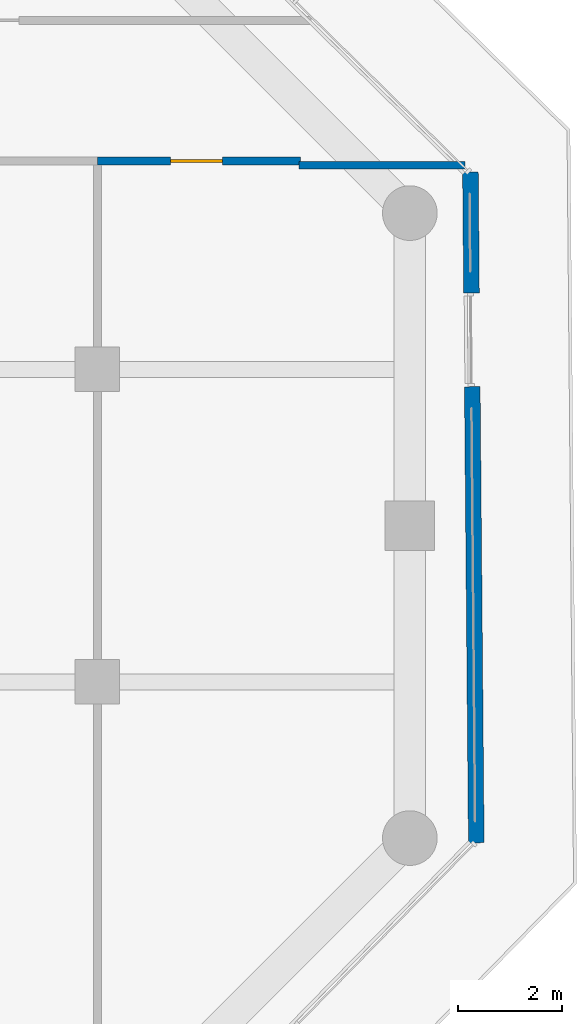
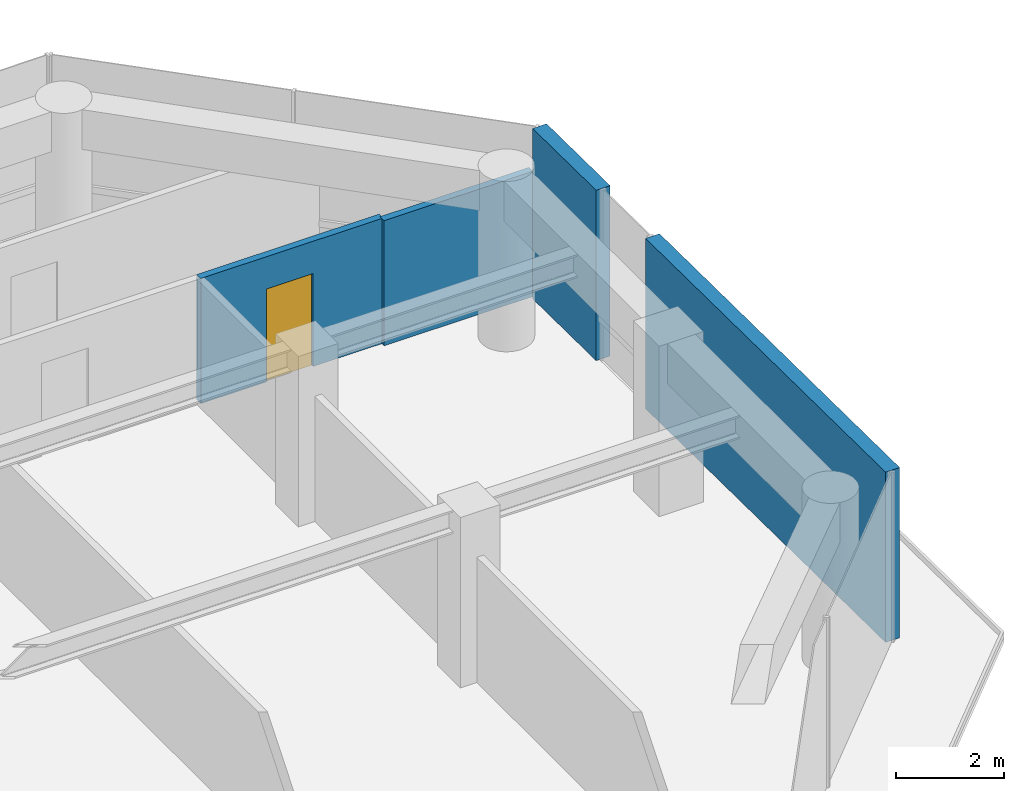
# One storey, part 25 of 28: 4 walls, 1 door, 1 opening.
"""IFC4 building model written with IfcOpenShell, lengths in metres."""

from ifc_helpers import new_model, si_unit, direction, frame, frame_2d, origin, place, context, subcontext, project, spatial, rectangle, extrude, material, layer, layer_set, type_object, element, fill, save


model = new_model("IFC4")

# Units and contexts
model_context = context("Model", 3, precision=1e-05, world=origin(), true_north=direction((0.0, 1.0)))
body_context = subcontext(model_context, "Body", "Model", "MODEL_VIEW")
ifc_project = project(units=[si_unit("LENGTHUNIT", "METRE"), si_unit("AREAUNIT", "SQUARE_METRE"), si_unit("VOLUMEUNIT", "CUBIC_METRE"), si_unit("PLANEANGLEUNIT", "RADIAN"), si_unit("MASSUNIT", "GRAM", prefix="KILO")], contexts=[model_context])

# Site, building, storey
site_placement = place(None, origin())
site = spatial("IfcSite", under=ifc_project, at=site_placement, CompositionType="ELEMENT")
building_placement = place(site_placement, origin())
building = spatial("IfcBuilding", under=site, at=building_placement, Name="Welwitschia Terrace Campus", CompositionType="ELEMENT")
storey_placement = place(building_placement, frame((0.0, 0.0, 54.199951171875)))
storey = spatial("IfcBuildingStorey", under=building, at=storey_placement, Name="L12", CompositionType="ELEMENT", Elevation=54.199951171875)

# Wall
ifc_material_1 = material(Name="Gypsum board on steel studs", Category="steel")
ifc_layer_1 = layer(ifc_material_1, 0.14990234375)
ifc_layer_set_1 = layer_set([ifc_layer_1], Name="Gypsum board on steel studs")
wall_type_1 = type_object("IfcWallType", Name="Corridor partition 150 EI 30", PredefinedType="PARTITIONING", material=ifc_layer_set_1)
wall_1_placement = place(storey_placement, frame((63.8701171875, 14.919921875, 0.0), z_axis=(0.0, 0.0, 1.0), x_axis=(1.0, 0.0, 0.0)))
element("IfcWall", 1, at=wall_1_placement, inside=storey, type_object=wall_type_1, Name="Partition", PredefinedType="PARTITIONING", context=body_context, shape_type="SweptSolid", body=[
    extrude(rectangle(XDim=3.185791015625, YDim=0.14990234375, at=frame_2d((1.5927734375, 0.0))), origin(), (0.0, 0.0, 1.0), 2.830078125),
])

# Wall, opening, door
wall_2_placement = place(storey_placement, frame((63.89990234375, 15.0, 0.0), z_axis=(0.0, 0.0, 1.0), x_axis=(-1.0, 0.0, 0.0)))
wall_2 = element("IfcWall", 2, at=wall_2_placement, inside=storey, type_object=wall_type_1, Name="Partition", PredefinedType="PARTITIONING", context=body_context, shape_type="SweptSolid", body=[
    extrude(rectangle(XDim=3.89990234375, YDim=0.14990234375, at=frame_2d((1.949951171875, 0.0))), origin(), (0.0, 0.0, 1.0), 2.830078125),
])
opening_placement = place(wall_2_placement, frame((1.5, 0.0, 0.0)))
opening = element("IfcOpeningElement", 3, at=opening_placement, cuts=wall_2, Name="Opening DI10", PredefinedType="OPENING", context=body_context, shape_type="SweptSolid", body=[
    extrude(rectangle(XDim=1.0, YDim=2.10009765625, at=frame_2d((0.5, 1.050048828125))), frame((0.0, 0.0849609375, 0.0), z_axis=(0.0, -1.0, 0.0), x_axis=(1.0, 0.0, 0.0)), (0.0, 0.0, 1.0), 0.169921875),
])
ifc_material_2 = material(Name="Timber veneered door", Category="wood")
door_type = type_object("IfcDoorType", Name="Interior door DI10", OperationType="NOTDEFINED", PredefinedType="DOOR", material=ifc_material_2)
door_placement = place(opening_placement, origin())
door = element("IfcDoor", 4, at=door_placement, inside=storey, type_object=door_type, Name="Door L12 289", OperationType="SINGLE_SWING_RIGHT", OverallHeight=2.10009765625, OverallWidth=1.0, PredefinedType="DOOR", context=body_context, shape_type="SweptSolid", body=[
    extrude(rectangle(XDim=1.0, YDim=2.10009765625, at=frame_2d((0.5, 1.050048828125))), frame((0.0, 0.02490234375, 0.0), z_axis=(0.0, -1.0, 0.0), x_axis=(1.0, 0.0, 0.0)), (0.0, 0.0, 1.0), 0.050048828125),
])
fill(opening, door)

# Walls
ifc_material_3 = material(Name="Concrete C40/50", Category="concrete")
ifc_layer_2 = layer(ifc_material_3, 0.300048828125)
ifc_layer_set_2 = layer_set([ifc_layer_2], Name="Concrete C40/50")
wall_type_2 = type_object("IfcWallType", Name="Mass wall 300", PredefinedType="SOLIDWALL", material=ifc_layer_set_2)
wall_3_placement = place(storey_placement, frame((67.275634765625, 1.91015625, 0.0), z_axis=(0.0, 0.0, 1.0), x_axis=(-0.008726109153, 0.999961926785, 0.0)))
element("IfcWall", 5, at=wall_3_placement, inside=storey, type_object=wall_type_2, Name="Mass wall L12.6.0", PredefinedType="SOLIDWALL", context=body_context, shape_type="SweptSolid", body=[
    extrude(rectangle(XDim=8.757080078125, YDim=0.300048828125, at=frame_2d((4.37841796875, 0.0))), origin(), (0.0, 0.0, 1.0), 3.85009765625),
])
wall_4_placement = place(storey_placement, frame((67.18359375, 12.467041015625, 0.0), z_axis=(0.0, 0.0, 1.0), x_axis=(-0.008738348184, 0.999961819907, 0.0)))
element("IfcWall", 6, at=wall_4_placement, inside=storey, type_object=wall_type_2, Name="Mass wall L12.6.1", PredefinedType="SOLIDWALL", context=body_context, shape_type="SweptSolid", body=[
    extrude(rectangle(XDim=2.31884765625, YDim=0.300048828125, at=frame_2d((1.159423828125, 0.0))), origin(), (0.0, 0.0, 1.0), 3.85009765625),
])

save(model, "model.ifc")
